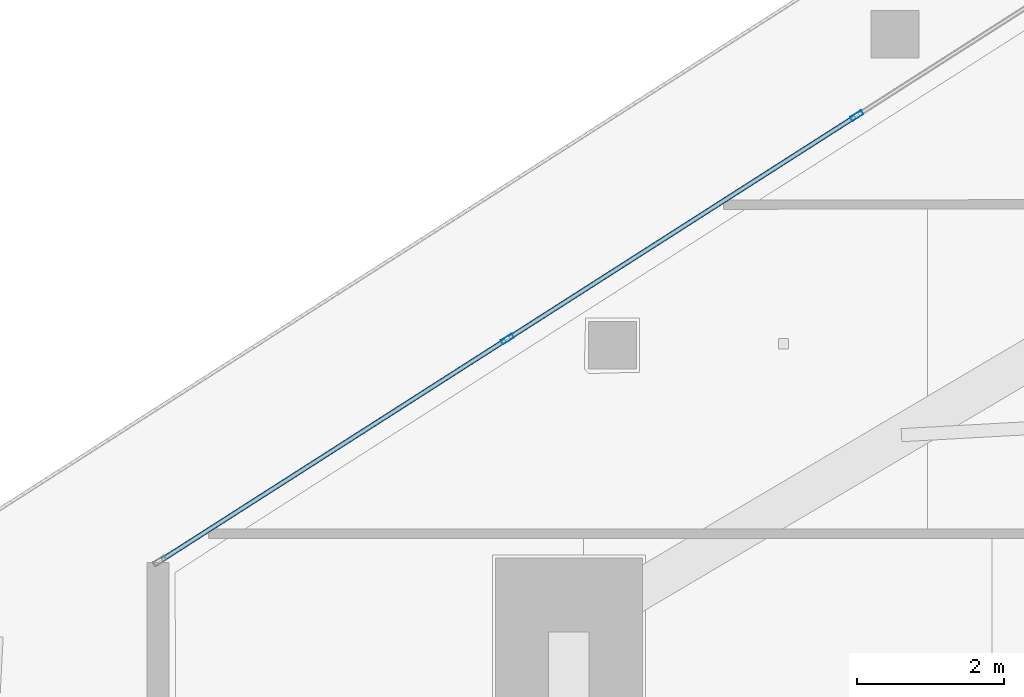
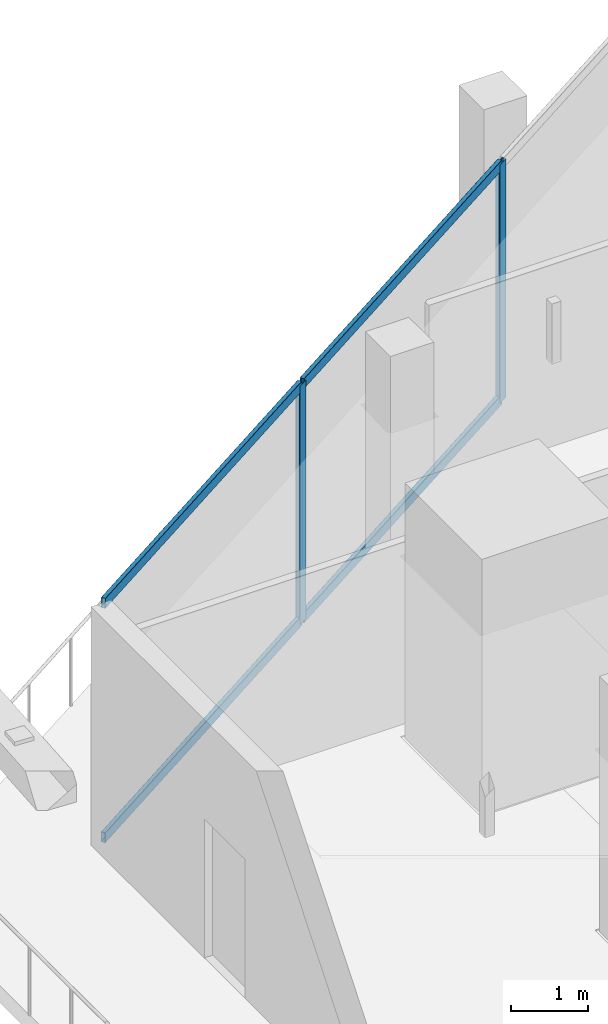
# One storey, part 15 of 37: 6 members, 1 element without a shape of its own.
"""IFC4 building model written with IfcOpenShell, lengths in metres."""

from ifc_helpers import new_model, si_unit, direction, frame, origin, origin_2d, place, context, subcontext, project, spatial, hollow_rectangle, extrude, material, layer, layer_set, material_profile, profile_set, type_object, element, aggregate, save


model = new_model("IFC4")

# Units and contexts
model_context = context("Model", 3, precision=1e-05, world=origin(), true_north=direction((0.0, 1.0)))
body_context = subcontext(model_context, "Body", "Model", "MODEL_VIEW")
ifc_project = project(units=[si_unit("LENGTHUNIT", "METRE"), si_unit("AREAUNIT", "SQUARE_METRE"), si_unit("VOLUMEUNIT", "CUBIC_METRE"), si_unit("PLANEANGLEUNIT", "RADIAN"), si_unit("MASSUNIT", "GRAM", prefix="KILO")], contexts=[model_context])

# Site, building, storey
site_placement = place(None, origin())
site = spatial("IfcSite", under=ifc_project, at=site_placement, CompositionType="ELEMENT")
building_placement = place(site_placement, origin())
building = spatial("IfcBuilding", under=site, at=building_placement, Name="Qorvath Tower", CompositionType="ELEMENT")
storey_placement = place(building_placement, frame((0.0, 0.0, 196.949951171875)))
storey = spatial("IfcBuildingStorey", under=building, at=storey_placement, Name="L45", CompositionType="ELEMENT", Elevation=196.949951171875)

# Curtain wall, members
ifc_material_1 = material(Name="Anodised aluminium and triple low-E glass", Category="aluminium")
ifc_layer = layer(ifc_material_1, 0.179931640625)
ifc_layer_set = layer_set([ifc_layer], Name="CW-SYS-3")
curtain_wall_type = type_object("IfcCurtainWallType", Name="CW-SYS-3", PredefinedType="NOTDEFINED", material=ifc_layer_set)
curtain_wall_placement = place(storey_placement, origin())
curtain_wall = element("IfcCurtainWall", 1, at=curtain_wall_placement, inside=storey, type_object=curtain_wall_type, Name="Curtain Wall CW-3 CW-T-L45-16.1", PredefinedType="NOTDEFINED")
ifc_material_2 = material(Name="Anodised aluminium 6063-T6", Category="aluminium")
ifc_material_profile_1 = material_profile(ifc_material_2, hollow_rectangle(XDim=0.06494140625, YDim=0.179931640625, WallThickness=0.00341796875, InnerFilletRadius=0.00341796875, OuterFilletRadius=0.007080078125, at=origin_2d()), Name="CWM 180x65")
ifc_profile_set_1 = profile_set([ifc_material_profile_1], Name="Anodised aluminium 6063-T6")
member_type_1 = type_object("IfcMemberType", Name="CWM-180", PredefinedType="MULLION", material=ifc_profile_set_1)
member_1_placement = place(storey_placement, frame((-45.2578125, 9.54638671875, 0.0), z_axis=(0.0, 0.0, 1.0), x_axis=(0.538533623725, -0.842604020948, 0.0)))
member_1 = element("IfcMember", 2, at=member_1_placement, type_object=member_type_1, Name="CW-3 mullion 7", PredefinedType="MULLION", context=body_context, shape_type="SweptSolid", body=[
    extrude(hollow_rectangle(XDim=0.06494140625, YDim=0.179931640625, WallThickness=0.00341796875, InnerFilletRadius=0.00341796875, OuterFilletRadius=0.007080078125, at=origin_2d()), origin(), (0.0, 0.0, 1.0), 3.780029296875),
])
member_2_placement = place(storey_placement, frame((-50.01025390625, 6.5087890625, 0.0), z_axis=(0.0, 0.0, 1.0), x_axis=(0.538533623725, -0.842604020948, 0.0)))
member_2 = element("IfcMember", 3, at=member_2_placement, type_object=member_type_1, Name="CW-3 mullion 8", PredefinedType="MULLION", context=body_context, shape_type="SweptSolid", body=[
    extrude(hollow_rectangle(XDim=0.06494140625, YDim=0.179931640625, WallThickness=0.00341796875, InnerFilletRadius=0.00341796875, OuterFilletRadius=0.007080078125, at=origin_2d()), origin(), (0.0, 0.0, 1.0), 3.780029296875),
])
ifc_material_3 = material(Name="Anodised aluminium 6063-T6", Category="aluminium")
ifc_material_profile_2 = material_profile(ifc_material_3, hollow_rectangle(XDim=0.06494140625, YDim=0.159912109375, WallThickness=0.00341796875, InnerFilletRadius=0.00341796875, OuterFilletRadius=0.007080078125, at=origin_2d()), Name="CWT 160x65")
ifc_profile_set_2 = profile_set([ifc_material_profile_2], Name="Anodised aluminium 6063-T6")
member_type_2 = type_object("IfcMemberType", Name="CWT-160", PredefinedType="USERDEFINED", material=ifc_profile_set_2)
member_3_placement = place(storey_placement, frame((-45.28515625, 9.52880859375, 0.032470703125), z_axis=(-0.842606844645, -0.538529205667, 0.0), x_axis=(0.538529205667, -0.842606844645, 0.0)))
member_3 = element("IfcMember", 4, at=member_3_placement, type_object=member_type_2, Name="CW-3 transom 7.1", ObjectType="TRANSOM", PredefinedType="USERDEFINED", context=body_context, shape_type="SweptSolid", body=[
    extrude(hollow_rectangle(XDim=0.06494140625, YDim=0.159912109375, WallThickness=0.00341796875, InnerFilletRadius=0.00341796875, OuterFilletRadius=0.007080078125, at=origin_2d()), origin(), (0.0, 0.0, 1.0), 5.5751953125),
])
member_4_placement = place(storey_placement, frame((-45.28515625, 9.52880859375, 3.74755859375), z_axis=(-0.842606844645, -0.538529205667, 0.0), x_axis=(0.538529205667, -0.842606844645, 0.0)))
member_4 = element("IfcMember", 5, at=member_4_placement, type_object=member_type_2, Name="CW-3 transom 7.2", ObjectType="TRANSOM", PredefinedType="USERDEFINED", context=body_context, shape_type="SweptSolid", body=[
    extrude(hollow_rectangle(XDim=0.06494140625, YDim=0.159912109375, WallThickness=0.00341796875, InnerFilletRadius=0.00341796875, OuterFilletRadius=0.007080078125, at=origin_2d()), origin(), (0.0, 0.0, 1.0), 5.5751953125),
])
member_5_placement = place(storey_placement, frame((-50.03759765625, 6.491455078125, 0.032470703125), z_axis=(-0.842595217297, -0.538547397903, 0.0), x_axis=(0.538547397903, -0.842595217297, 0.0)))
member_5 = element("IfcMember", 6, at=member_5_placement, type_object=member_type_2, Name="CW-3 transom 8.1", ObjectType="TRANSOM", PredefinedType="USERDEFINED", context=body_context, shape_type="SweptSolid", body=[
    extrude(hollow_rectangle(XDim=0.06494140625, YDim=0.159912109375, WallThickness=0.00341796875, InnerFilletRadius=0.00341796875, OuterFilletRadius=0.007080078125, at=origin_2d()), origin(), (0.0, 0.0, 1.0), 5.54296875),
])
member_6_placement = place(storey_placement, frame((-50.03759765625, 6.491455078125, 3.74755859375), z_axis=(-0.842595217297, -0.538547397903, 0.0), x_axis=(0.538547397903, -0.842595217297, 0.0)))
member_6 = element("IfcMember", 7, at=member_6_placement, type_object=member_type_2, Name="CW-3 transom 8.2", ObjectType="TRANSOM", PredefinedType="USERDEFINED", context=body_context, shape_type="SweptSolid", body=[
    extrude(hollow_rectangle(XDim=0.06494140625, YDim=0.159912109375, WallThickness=0.00341796875, InnerFilletRadius=0.00341796875, OuterFilletRadius=0.007080078125, at=origin_2d()), origin(), (0.0, 0.0, 1.0), 5.54296875),
])
aggregate(curtain_wall, [member_1, member_2, member_3, member_4, member_5, member_6])

save(model, "model.ifc")
